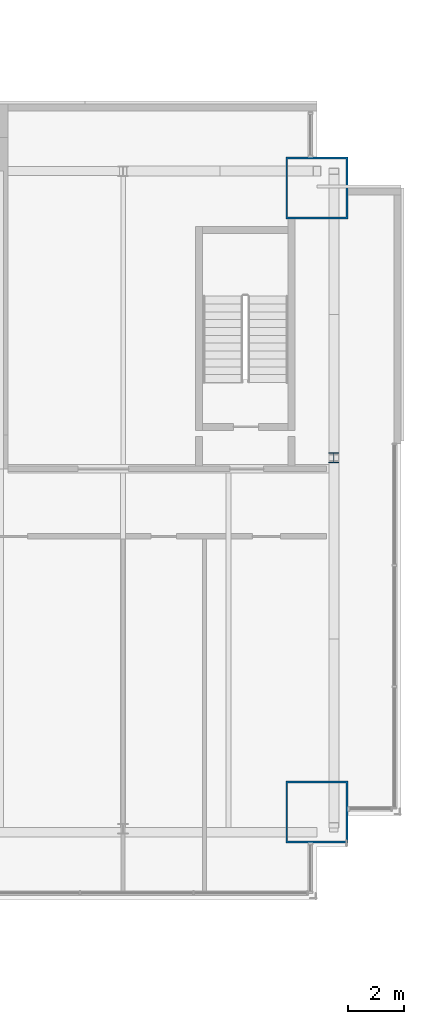
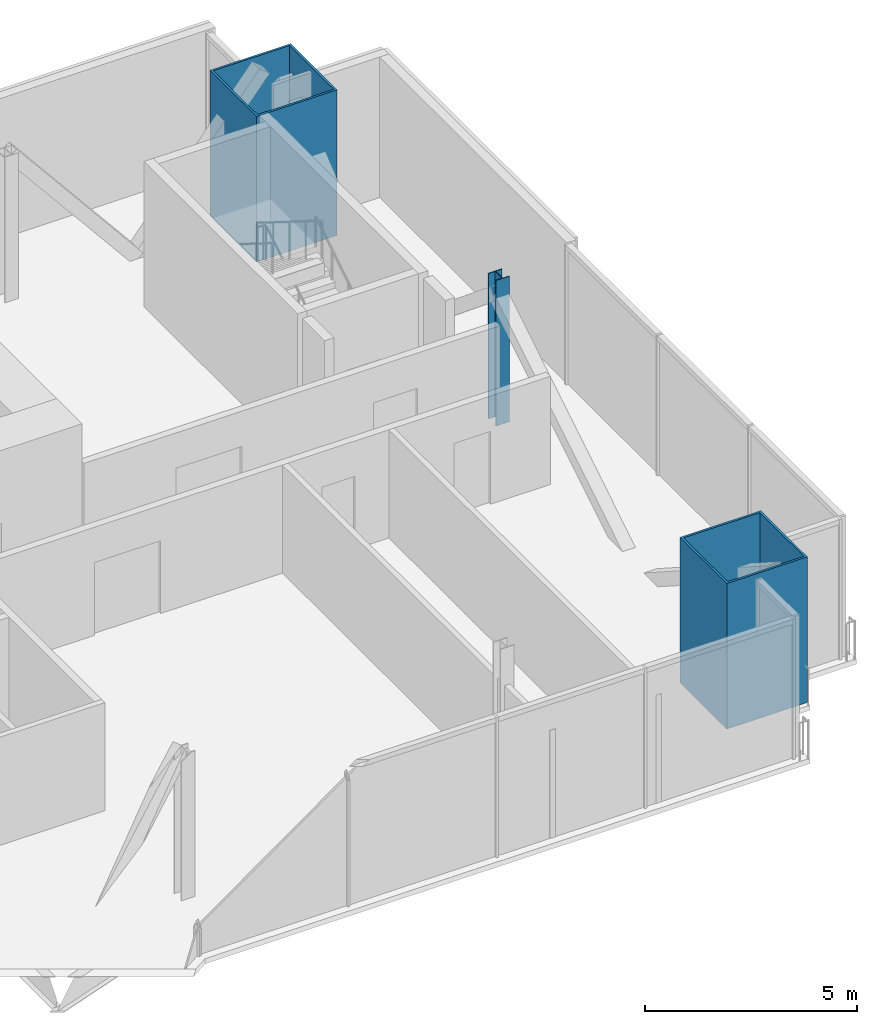
# One storey, part 4 of 19: 3 columns.
"""IFC4 building model written with IfcOpenShell, lengths in metres."""

import ifcopenshell
import ifcopenshell.guid

model = None  # the IFC model being written
_history = None  # IfcOwnerHistory: only IFC2X3 demands one
_inside = {}  # id of a spatial element -> (the spatial element, [elements in it])
_under = {}  # id of a project, library or spatial element -> (it, [spatial elements below it])
_declared = {}  # id of a project -> (the project, [libraries it declares])
_typed = {}  # id of a type object -> (the type object, [elements of that type])
_made_of = {}  # id of a material, layer set ... -> (it, [elements and type objects made of it])


def new_model(schema):
    """Start an empty IFC model of exactly this schema.

    Asked for "IFC4X3", IfcOpenShell would pick the latest addendum, in which some entities
    have other attributes; the version numbers below select the first issue.
    IFC2X3 requires an IfcOwnerHistory on every rooted entity: one is made here for all.
    """
    global model, _history
    if schema == "IFC4X3":
        model = ifcopenshell.file(schema_version=(4, 3, 0, 0))
    else:
        model = ifcopenshell.file(schema=schema)
    _inside.clear()
    _under.clear()
    _declared.clear()
    _typed.clear()
    _made_of.clear()
    _history = None
    if model.schema == "IFC2X3":
        org = make("IfcOrganization", Name="unknown")
        user = make(
            "IfcPersonAndOrganization",
            ThePerson=make("IfcPerson", FamilyName="unknown"),
            TheOrganization=org,
        )
        app = make(
            "IfcApplication",
            ApplicationDeveloper=org,
            Version="unknown",
            ApplicationFullName="unknown",
            ApplicationIdentifier="unknown",
        )
        _history = make(
            "IfcOwnerHistory",
            OwningUser=user,
            OwningApplication=app,
            ChangeAction="ADDED",
            CreationDate=0,
        )
    return model


def make(cls, **values):
    """One entity of the class cls with the attributes given. An attribute that is None is left unset."""
    return model.create_entity(
        cls, **{name: value for name, value in values.items() if value is not None}
    )


def rooted(cls, **values):
    """An entity with a GlobalId (a new one), such as an element, a storey or a relation."""
    return make(cls, GlobalId=ifcopenshell.guid.new(), OwnerHistory=_history, **values)


def si_unit(unit_type, name, prefix=None):
    """IfcSIUnit, for example si_unit("LENGTHUNIT", "METRE", prefix="MILLI")."""
    return make("IfcSIUnit", UnitType=unit_type, Prefix=prefix, Name=name)


def assignment(units):
    """IfcUnitAssignment: the units of a project."""
    return None if units is None else make("IfcUnitAssignment", Units=units)


def point(xyz):
    """IfcCartesianPoint."""
    return None if xyz is None else make("IfcCartesianPoint", Coordinates=xyz)


def direction(xyz):
    """IfcDirection."""
    return None if xyz is None else make("IfcDirection", DirectionRatios=xyz)


def frame(location, z_axis=None, x_axis=None):
    """IfcAxis2Placement3D, a coordinate frame: its origin and axes. An axis left out is left unset."""
    return make(
        "IfcAxis2Placement3D",
        Location=point(location),
        Axis=direction(z_axis),
        RefDirection=direction(x_axis),
    )


def frame_2d(location, x_axis=None):
    """IfcAxis2Placement2D, a coordinate frame in the plane: its origin and x axis."""
    return make(
        "IfcAxis2Placement2D", Location=point(location), RefDirection=direction(x_axis)
    )


def origin():
    """The frame at (0, 0, 0) with its axes left unset."""
    return frame((0.0, 0.0, 0.0))


def origin_2d():
    """The frame at (0, 0) in the plane with its x axis left unset."""
    return frame_2d((0.0, 0.0))


def place(relative_to, where):
    """IfcLocalPlacement: puts the frame where relative to a parent placement (None: the world)."""
    return make(
        "IfcLocalPlacement", PlacementRelTo=relative_to, RelativePlacement=where
    )


def context(
    kind, dimensions, precision=None, world=None, true_north=None, identifier=None
):
    """IfcGeometricRepresentationContext, for example the 3D "Model" context."""
    return make(
        "IfcGeometricRepresentationContext",
        ContextIdentifier=identifier,
        ContextType=kind,
        CoordinateSpaceDimension=dimensions,
        Precision=precision,
        WorldCoordinateSystem=world,
        TrueNorth=true_north,
    )


def subcontext(parent, identifier, kind, view, scale=None):
    """IfcGeometricRepresentationSubContext, for example "Body" below "Model"."""
    return make(
        "IfcGeometricRepresentationSubContext",
        ContextIdentifier=identifier,
        ContextType=kind,
        ParentContext=parent,
        TargetScale=scale,
        TargetView=view,
    )


def project(units=None, contexts=None):
    """IfcProject with its units and contexts."""
    return rooted(
        "IfcProject",
        Name="project",
        RepresentationContexts=contexts,
        UnitsInContext=assignment(units),
    )


def spatial(cls, under=None, at=None, **own):
    """A site, building, storey or space (cls), placed at a placement, below another one or the project."""
    s = rooted(cls, ObjectPlacement=at, **own)
    if under is not None:
        _under.setdefault(under.id(), (under, []))[1].append(s)
    return s


def profile(cls, at=None, kind="AREA", **sizes):
    """A parametric profile (cls). Its sizes go by their IFC names, for example OverallWidth=200.0."""
    return make(cls, ProfileType=kind, Position=at, **sizes)


def hollow_rectangle(**sizes):
    """IfcRectangleHollowProfileDef."""
    return profile("IfcRectangleHollowProfileDef", **sizes)


def i_section(**sizes):
    """IfcIShapeProfileDef."""
    return profile("IfcIShapeProfileDef", **sizes)


def extrude(swept, where, along, depth):
    """IfcExtrudedAreaSolid: the profile swept, set in the frame where, extruded along a direction by depth."""
    return make(
        "IfcExtrudedAreaSolid",
        SweptArea=swept,
        Position=where,
        ExtrudedDirection=direction(along),
        Depth=depth,
    )


def shape(context_of_items, identifier, shape_type, items):
    """IfcShapeRepresentation: the items that make up one representation, for example the "Body"."""
    return make(
        "IfcShapeRepresentation",
        ContextOfItems=context_of_items,
        RepresentationIdentifier=identifier,
        RepresentationType=shape_type,
        Items=items,
    )


def material(Name=None, Category=None):
    """IfcMaterial."""
    return make("IfcMaterial", Name=Name, Category=Category)


def material_profile(
    of_material, cross_section, Name=None, Category=None, Priority=None
):
    """IfcMaterialProfile: a cross section and its material."""
    return make(
        "IfcMaterialProfile",
        Name=Name,
        Material=of_material,
        Profile=cross_section,
        Priority=Priority,
        Category=Category,
    )


def profile_set(profiles, Name=None, composite=None):
    """IfcMaterialProfileSet."""
    return make(
        "IfcMaterialProfileSet",
        Name=Name,
        MaterialProfiles=profiles,
        CompositeProfile=composite,
    )


def made_of(thing, what):
    """Note that an element or type object is made of a material, layer set ...; save() writes the relation."""
    if what is not None:
        _made_of.setdefault(what.id(), (what, []))[1].append(thing)
    return thing


def type_object(cls, material=None, **own):
    """A type object (cls), such as IfcWallType, which elements share."""
    return made_of(rooted(cls, **own), material)


def element(
    cls,
    number,
    at=None,
    inside=None,
    cuts=None,
    type_object=None,
    material=None,
    context=None,
    identifier="Body",
    shape_type=None,
    held_by="IfcProductDefinitionShape",
    body=None,
    shapes=None,
    **own,
):
    """One element of the class cls, such as IfcWall. Its Tag is "e" and its number.

    at: its placement. inside: the storey or other place that contains it. cuts: it is an
    opening in that element (IfcRelVoidsElement). A single representation is given by context,
    identifier, shape_type and body (its items); several are given by shapes. held_by: the class
    of the entity that holds the representations. save() writes the other relations.
    """
    e = rooted(cls, Tag="e%d" % number, ObjectPlacement=at, **own)
    if body is not None:
        shapes = [shape(context, identifier, shape_type, body)]
    if shapes is not None:
        e.Representation = make(held_by, Representations=shapes)
    if inside is not None:
        _inside.setdefault(inside.id(), (inside, []))[1].append(e)
    if cuts is not None:
        rooted(
            "IfcRelVoidsElement", RelatingBuildingElement=cuts, RelatedOpeningElement=e
        )
    if type_object is not None:
        _typed.setdefault(type_object.id(), (type_object, []))[1].append(e)
    return made_of(e, material)


def aggregate(whole, parts):
    """IfcRelAggregates: a whole, such as a stair, and the parts it consists of."""
    return rooted("IfcRelAggregates", RelatingObject=whole, RelatedObjects=parts)


def save(model, path):
    """Write the relations noted so far, then the file.

    IfcRelAggregates (storeys below a building ...), IfcRelContainedInSpatialStructure (elements
    in a storey), IfcRelDefinesByType, IfcRelAssociatesMaterial and IfcRelDeclares: one each for
    every whole, place, type object, material and project.
    """
    for whole, parts in _under.values():
        aggregate(whole, parts)
    for where, things in _inside.values():
        rooted(
            "IfcRelContainedInSpatialStructure",
            RelatedElements=things,
            RelatingStructure=where,
        )
    for kind, things in _typed.values():
        rooted("IfcRelDefinesByType", RelatedObjects=things, RelatingType=kind)
    for what, things in _made_of.values():
        rooted("IfcRelAssociatesMaterial", RelatedObjects=things, RelatingMaterial=what)
    for by, libraries in _declared.values():
        rooted("IfcRelDeclares", RelatingContext=by, RelatedDefinitions=libraries)
    model.write(path)


model = new_model("IFC4")

# Units and contexts
model_context = context("Model", 3, precision=1e-05, world=origin(), true_north=direction((0.0, 1.0)))
body_context = subcontext(model_context, "Body", "Model", "MODEL_VIEW")
ifc_project = project(units=[si_unit("LENGTHUNIT", "METRE"), si_unit("AREAUNIT", "SQUARE_METRE"), si_unit("VOLUMEUNIT", "CUBIC_METRE"), si_unit("PLANEANGLEUNIT", "RADIAN"), si_unit("MASSUNIT", "GRAM", prefix="KILO")], contexts=[model_context])

# Site, building, storey
site_placement = place(None, origin())
site = spatial("IfcSite", under=ifc_project, at=site_placement, CompositionType="ELEMENT")
building_placement = place(site_placement, origin())
building = spatial("IfcBuilding", under=site, at=building_placement, Name="Bicima Exchange Tower", CompositionType="ELEMENT")
storey_placement = place(building_placement, frame((0.0, 0.0, 275.0)))
storey = spatial("IfcBuildingStorey", under=building, at=storey_placement, Name="L62", CompositionType="ELEMENT", Elevation=275.0)

# Columns
ifc_material_1 = material(Name="Steel ASTM A572 Gr 50", Category="steel")
ifc_material_profile_1 = material_profile(ifc_material_1, hollow_rectangle(XDim=2.199951171875, YDim=2.199951171875, WallThickness=0.06005859375, at=origin_2d()))
ifc_profile_set_1 = profile_set([ifc_material_profile_1], Name="Steel ASTM A572 Gr 50")
column_type_1 = type_object("IfcColumnType", Name="Mega column BOX 2200x2200x60", PredefinedType="COLUMN", material=ifc_profile_set_1)
for number, where, z_axis, x_axis, name in (
    (1, (33.0, -25.214111328125, 0.0), (0.0, 0.0, 1.0), (1.0, 0.0, 0.0), "Mega column mega+33.0f"),
    (2, (33.0, -3.0, 0.0), (0.0, 0.0, 1.0), (1.0, 0.0, 0.0), "Mega column mega+33.0r"),
):
    element("IfcColumn", number, at=place(storey_placement, frame(where, z_axis=z_axis, x_axis=x_axis)), inside=storey, type_object=column_type_1, Name=name, PredefinedType="COLUMN", context=body_context, shape_type="SweptSolid", body=[
        extrude(hollow_rectangle(XDim=2.199951171875, YDim=2.199951171875, WallThickness=0.06005859375, at=origin_2d()), origin(), (0.0, 0.0, 1.0), 4.199951171875),
    ])
ifc_material_2 = material(Name="Steel ASTM A992 Gr 50", Category="steel")
ifc_material_profile_2 = material_profile(ifc_material_2, i_section(OverallWidth=0.370849609375, OverallDepth=0.36328125, WebThickness=0.013427734375, FlangeThickness=0.021728515625, at=origin_2d()))
ifc_profile_set_2 = profile_set([ifc_material_profile_2], Name="Steel ASTM A992 Gr 50")
column_type_2 = type_object("IfcColumnType", Name="Perimeter column W14x109", PredefinedType="COLUMN", material=ifc_profile_set_2)
column_placement = place(storey_placement, frame((33.60009765625, -12.60009765625, 0.0), z_axis=(0.0, 0.0, 1.0), x_axis=(1.0, 0.0, 0.0)))
element("IfcColumn", 3, at=column_placement, inside=storey, type_object=column_type_2, Name="End column end+33.6e", PredefinedType="COLUMN", context=body_context, shape_type="SweptSolid", body=[
    extrude(i_section(OverallWidth=0.370849609375, OverallDepth=0.36328125, WebThickness=0.013427734375, FlangeThickness=0.021728515625, at=origin_2d()), origin(), (0.0, 0.0, 1.0), 4.199951171875),
])

save(model, "model.ifc")
